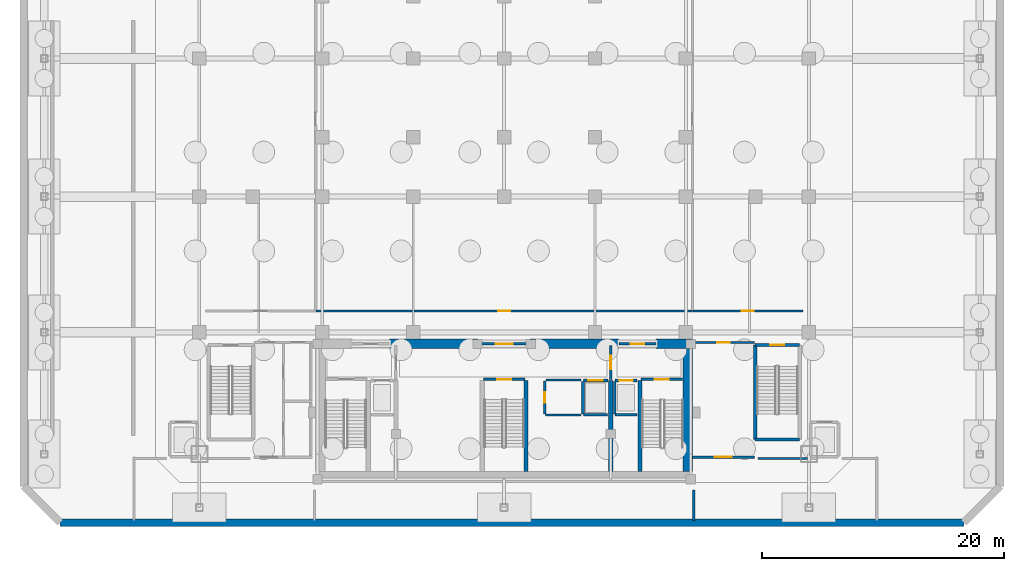
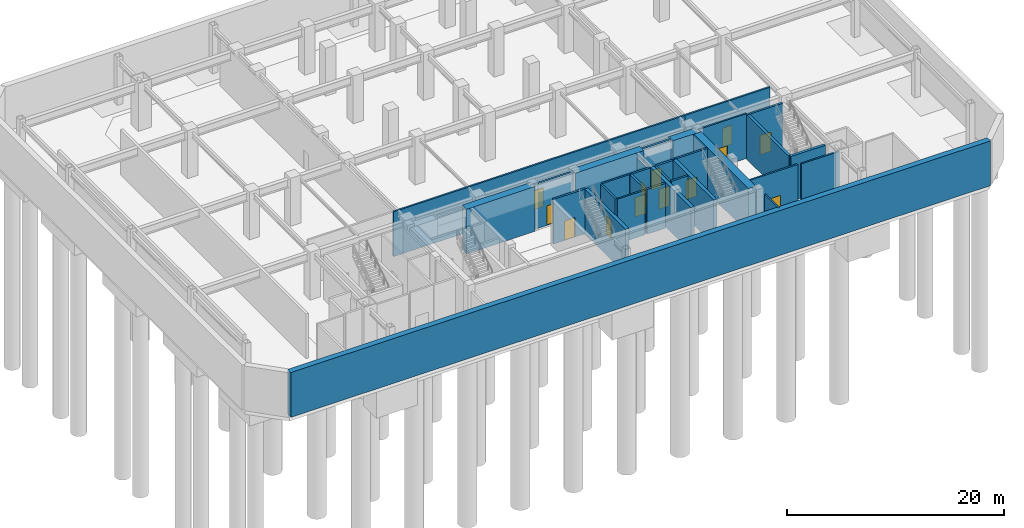
# One storey, part 5 of 10: 31 walls, 13 doors, 13 openings.
"""IFC4 building model written with IfcOpenShell, lengths in metres."""

from ifc_helpers import new_model, si_unit, direction, frame, frame_2d, origin, place, context, subcontext, project, spatial, rectangle, extrude, material, layer, layer_set, type_object, element, fill, save


model = new_model("IFC4")

# Units and contexts
model_context = context("Model", 3, precision=1e-05, world=origin(), true_north=direction((0.0, 1.0)))
body_context = subcontext(model_context, "Body", "Model", "MODEL_VIEW")
ifc_project = project(units=[si_unit("LENGTHUNIT", "METRE"), si_unit("AREAUNIT", "SQUARE_METRE"), si_unit("VOLUMEUNIT", "CUBIC_METRE"), si_unit("PLANEANGLEUNIT", "RADIAN"), si_unit("MASSUNIT", "GRAM", prefix="KILO")], contexts=[model_context])

# Site, building, storey
site_placement = place(None, origin())
site = spatial("IfcSite", under=ifc_project, at=site_placement, CompositionType="ELEMENT")
building_placement = place(site_placement, origin())
building = spatial("IfcBuilding", under=site, at=building_placement, Name="Ventersveld Concourse Tower", CompositionType="ELEMENT")
storey_placement = place(building_placement, frame((0.0, 0.0, -10.800048828125)))
storey = spatial("IfcBuildingStorey", under=building, at=storey_placement, Name="B02", CompositionType="ELEMENT", Elevation=-10.800048828125)

# Walls
ifc_material_1 = material(Name="Concrete C60/75", Category="concrete")
ifc_layer_1 = layer(ifc_material_1, 0.35009765625)
ifc_layer_set_1 = layer_set([ifc_layer_1], Name="Concrete C60/75")
wall_type_1 = type_object("IfcWallType", Name="WL-CORE-350L", PredefinedType="SHEAR", material=ifc_layer_set_1)
for number, where, z_axis, x_axis, name in (
    (1, (30.56005859375, 0.919921875, 0.0), (0.0, 0.0, 1.0), (0.0, 1.0, 0.0), "B02 Core Internal Shear Web W-ST3-E"),
    (2, (37.550048828125, 0.919921875, 0.0), (0.0, 0.0, 1.0), (0.0, 1.0, 0.0), "B02 Core Internal Shear Web W-SVL-W"),
    (3, (39.9599609375, 0.919921875, 0.0), (0.0, 0.0, 1.0), (0.0, 1.0, 0.0), "B02 Core Internal Shear Web W-ST2-W"),
):
    element("IfcWall", number, at=place(storey_placement, frame(where, z_axis=z_axis, x_axis=x_axis)), inside=storey, type_object=wall_type_1, Name=name, PredefinedType="SHEAR", context=body_context, shape_type="SweptSolid", body=[
        extrude(rectangle(XDim=7.5, YDim=0.35009765625, at=frame_2d((3.75, 0.0))), origin(), (0.0, 0.0, 1.0), 5.050048828125),
    ])
ifc_layer_2 = layer(ifc_material_1, 0.800048828125)
ifc_layer_set_2 = layer_set([ifc_layer_2], Name="Concrete C60/75")
wall_type_2 = type_object("IfcWallType", Name="WL-CORE-800", PredefinedType="SHEAR", material=ifc_layer_set_2)
wall_1_placement = place(storey_placement, frame((43.89990234375, 0.919921875, 0.0), z_axis=(0.0, 0.0, 1.0), x_axis=(0.0, 1.0, 0.0)))
element("IfcWall", 4, at=wall_1_placement, inside=storey, type_object=wall_type_2, Name="B02 Rear Core East Shear Wall", PredefinedType="SHEAR", context=body_context, shape_type="SweptSolid", body=[
    extrude(rectangle(XDim=10.530029296875, YDim=0.800048828125, at=frame_2d((5.26513671875, 0.0))), origin(), (0.0, 0.0, 1.0), 5.050048828125),
])
for number, where, z_axis, x_axis, name in (
    (5, (19.300048828125, 11.449951171875, 0.0), (0.0, 0.0, 1.0), (1.0, 0.0, 0.0), "B02 Rear Core North Shear Wall NML"),
    (6, (30.89990234375, 11.449951171875, 0.0), (0.0, 0.0, 1.0), (1.0, 0.0, 0.0), "B02 Rear Core North Shear Wall NMR"),
):
    element("IfcWall", number, at=place(storey_placement, frame(where, z_axis=z_axis, x_axis=x_axis)), inside=storey, type_object=wall_type_2, Name=name, PredefinedType="SHEAR", context=body_context, shape_type="SweptSolid", body=[
        extrude(rectangle(XDim=7.300048828125, YDim=0.800048828125, at=frame_2d((3.64990234375, 0.0))), origin(), (0.0, 0.0, 1.0), 5.050048828125),
    ])
wall_2_placement = place(storey_placement, frame((41.300048828125, 11.449951171875, 0.0), z_axis=(0.0, 0.0, 1.0), x_axis=(1.0, 0.0, 0.0)))
element("IfcWall", 7, at=wall_2_placement, inside=storey, type_object=wall_type_2, Name="B02 Rear Core North Shear Wall NE", PredefinedType="SHEAR", context=body_context, shape_type="SweptSolid", body=[
    extrude(rectangle(XDim=2.949951171875, YDim=0.800048828125, at=frame_2d((1.47509765625, 0.0))), origin(), (0.0, 0.0, 1.0), 5.050048828125),
])

# Wall, opening, door
ifc_material_2 = material(Name="Fire-rated autoclaved aerated masonry blockwork", Category="masonry")
ifc_layer_3 = layer(ifc_material_2, 0.179931640625)
ifc_layer_set_3 = layer_set([ifc_layer_3], Name="Fire-rated autoclaved aerated masonry blockwork")
wall_type_3 = type_object("IfcWallType", Name="WL-CORR-180", PredefinedType="PARTITIONING", material=ifc_layer_set_3)
wall_3_placement = place(storey_placement, frame((32.10009765625, 5.64990234375, 0.0), z_axis=(0.0, 0.0, 1.0), x_axis=(0.0, 1.0, 0.0)))
wall_3 = element("IfcWall", 8, at=wall_3_placement, inside=storey, type_object=wall_type_3, Name="B02 Core Passage Wall SP-B02-CBAY1", PredefinedType="PARTITIONING", context=body_context, shape_type="SweptSolid", body=[
    extrude(rectangle(XDim=2.72998046875, YDim=0.179931640625, at=frame_2d((1.364990234375, 0.0))), origin(), (0.0, 0.0, 1.0), 5.050048828125),
])
opening_1_placement = place(wall_3_placement, frame((0.925048828125, 0.0, 0.0)))
opening_1 = element("IfcOpeningElement", 9, at=opening_1_placement, cuts=wall_3, Name="Opening FD5", PredefinedType="OPENING", context=body_context, shape_type="SweptSolid", body=[
    extrude(rectangle(XDim=0.8798828125, YDim=2.050048828125, at=frame_2d((0.43994140625, 1.02490234375))), frame((0.0, 0.10009765625, 0.0), z_axis=(0.0, -1.0, 0.0), x_axis=(1.0, 0.0, 0.0)), (0.0, 0.0, 1.0), 0.199951171875),
])
ifc_material_3 = material(Name="Galvanised painted steel", Category="steel")
door_type_1 = type_object("IfcDoorType", Name="DR-RISER-088", OperationType="NOTDEFINED", PredefinedType="DOOR", material=ifc_material_3)
door_1_placement = place(opening_1_placement, origin())
door_1 = element("IfcDoor", 10, at=door_1_placement, inside=storey, type_object=door_type_1, Name="B02 Core Room Door B02 Core Housekeeping Linen Store (CD-B02-0011)", OperationType="SINGLE_SWING_RIGHT", OverallHeight=2.050048828125, OverallWidth=0.8798828125, PredefinedType="DOOR", context=body_context, shape_type="SweptSolid", body=[
    extrude(rectangle(XDim=0.8798828125, YDim=2.050048828125, at=frame_2d((0.43994140625, 1.02490234375))), frame((0.0, 0.02490234375, 0.0), z_axis=(0.0, -1.0, 0.0), x_axis=(1.0, 0.0, 0.0)), (0.0, 0.0, 1.0), 0.050048828125),
])
fill(opening_1, door_1)

# Walls
wall_4_placement = place(storey_placement, frame((32.219970703125, 8.4599609375, 0.0), z_axis=(0.0, 0.0, 1.0), x_axis=(1.0, 0.0, 0.0)))
element("IfcWall", 11, at=wall_4_placement, inside=storey, type_object=wall_type_3, Name="B02 Core Top Wall SP-B02-CBAY1", PredefinedType="PARTITIONING", context=body_context, shape_type="SweptSolid", body=[
    extrude(rectangle(XDim=2.880126953125, YDim=0.179931640625, at=frame_2d((1.43994140625, 0.0))), origin(), (0.0, 0.0, 1.0), 5.050048828125),
])
wall_5_placement = place(storey_placement, frame((32.179931640625, 5.570068359375, 0.0), z_axis=(0.0, 0.0, 1.0), x_axis=(1.0, 0.0, 0.0)))
element("IfcWall", 12, at=wall_5_placement, inside=storey, type_object=wall_type_3, Name="B02 Core Bot Wall SP-B02-CBAY1", PredefinedType="PARTITIONING", context=body_context, shape_type="SweptSolid", body=[
    extrude(rectangle(XDim=2.920166015625, YDim=0.179931640625, at=frame_2d((1.4599609375, 0.0))), origin(), (0.0, 0.0, 1.0), 5.050048828125),
])

# Wall, opening, door
wall_6_placement = place(storey_placement, frame((13.22509765625, 14.14990234375, 0.0), z_axis=(0.0, 0.0, 1.0), x_axis=(1.0, 0.0, 0.0)))
wall_6 = element("IfcWall", 13, at=wall_6_placement, inside=storey, type_object=wall_type_3, Name="B02 Interior Partition SP-B02-ECOR-SP-B02-PLAT-C", PredefinedType="PARTITIONING", context=body_context, shape_type="SweptSolid", body=[
    extrude(rectangle(XDim=31.06982421875, YDim=0.179931640625, at=frame_2d((15.534912109375, 0.0))), origin(), (0.0, 0.0, 1.0), 5.050048828125),
])
opening_2_placement = place(wall_6_placement, frame((15.034912109375, 0.0, 0.0)))
opening_2 = element("IfcOpeningElement", 14, at=opening_2_placement, cuts=wall_6, Name="Opening FD3", PredefinedType="OPENING", context=body_context, shape_type="SweptSolid", body=[
    extrude(rectangle(XDim=1.0, YDim=2.14990234375, at=frame_2d((0.5, 1.074951171875))), frame((0.0, 0.10009765625, 0.0), z_axis=(0.0, -1.0, 0.0), x_axis=(1.0, 0.0, 0.0)), (0.0, 0.0, 1.0), 0.199951171875),
])
ifc_material_4 = material(Name="Solid-core hardwood veneer timber", Category="wood")
door_type_2 = type_object("IfcDoorType", Name="DR-FLAT-100", OperationType="NOTDEFINED", PredefinedType="DOOR", material=ifc_material_4)
door_2_placement = place(opening_2_placement, origin())
door_2 = element("IfcDoor", 15, at=door_2_placement, inside=storey, type_object=door_type_2, Name="B02 Interior Door SP-B02-ECOR to SP-B02-PLAT-C (D-B02-0013)", OperationType="SINGLE_SWING_LEFT", OverallHeight=2.14990234375, OverallWidth=1.0, PredefinedType="DOOR", context=body_context, shape_type="SweptSolid", body=[
    extrude(rectangle(XDim=1.0, YDim=2.14990234375, at=frame_2d((0.5, 1.074951171875))), frame((0.0, 0.02490234375, 0.0), z_axis=(0.0, -1.0, 0.0), x_axis=(1.0, 0.0, 0.0)), (0.0, 0.0, 1.0), 0.050048828125),
])
fill(opening_2, door_2)

wall_7_placement = place(storey_placement, frame((44.324951171875, 14.14990234375, 0.0), z_axis=(0.0, 0.0, 1.0), x_axis=(1.0, 0.0, 0.0)))
wall_7 = element("IfcWall", 16, at=wall_7_placement, inside=storey, type_object=wall_type_3, Name="B02 Interior Partition SP-B02-ECOR-SP-B02-PLAT-E", PredefinedType="PARTITIONING", context=body_context, shape_type="SweptSolid", body=[
    extrude(rectangle(XDim=9.070068359375, YDim=0.179931640625, at=frame_2d((4.53515625, 0.0))), origin(), (0.0, 0.0, 1.0), 5.050048828125),
])
opening_3_placement = place(wall_7_placement, frame((4.034912109375, 0.0, 0.0)))
opening_3 = element("IfcOpeningElement", 17, at=opening_3_placement, cuts=wall_7, Name="Opening FD3", PredefinedType="OPENING", context=body_context, shape_type="SweptSolid", body=[
    extrude(rectangle(XDim=1.0, YDim=2.14990234375, at=frame_2d((0.5, 1.074951171875))), frame((0.0, 0.10009765625, 0.0), z_axis=(0.0, -1.0, 0.0), x_axis=(1.0, 0.0, 0.0)), (0.0, 0.0, 1.0), 0.199951171875),
])
door_3_placement = place(opening_3_placement, origin())
door_3 = element("IfcDoor", 18, at=door_3_placement, inside=storey, type_object=door_type_2, Name="B02 Interior Door SP-B02-ECOR to SP-B02-PLAT-E (D-B02-0014)", OperationType="SINGLE_SWING_RIGHT", OverallHeight=2.14990234375, OverallWidth=1.0, PredefinedType="DOOR", context=body_context, shape_type="SweptSolid", body=[
    extrude(rectangle(XDim=1.0, YDim=2.14990234375, at=frame_2d((0.5, 1.074951171875))), frame((0.0, 0.02490234375, 0.0), z_axis=(0.0, -1.0, 0.0), x_axis=(1.0, 0.0, 0.0)), (0.0, 0.0, 1.0), 0.050048828125),
])
fill(opening_3, door_3)

wall_8_placement = place(storey_placement, frame((44.304931640625, 11.550048828125, 0.0), z_axis=(0.0, 0.0, 1.0), x_axis=(1.0, 0.0, 0.0)))
wall_8 = element("IfcWall", 19, at=wall_8_placement, inside=storey, type_object=wall_type_3, Name="B02 Interior Partition SP-B02-ECOR-SP-B02-SCOR-E", PredefinedType="PARTITIONING", context=body_context, shape_type="SweptSolid", body=[
    extrude(rectangle(XDim=5.090087890625, YDim=0.179931640625, at=frame_2d((2.544921875, 0.0))), origin(), (0.0, 0.0, 1.0), 5.050048828125),
])
opening_4_placement = place(wall_8_placement, frame((2.044921875, 0.0, 0.0)))
opening_4 = element("IfcOpeningElement", 20, at=opening_4_placement, cuts=wall_8, Name="Opening FD3", PredefinedType="OPENING", context=body_context, shape_type="SweptSolid", body=[
    extrude(rectangle(XDim=1.0, YDim=2.14990234375, at=frame_2d((0.5, 1.074951171875))), frame((0.0, 0.10009765625, 0.0), z_axis=(0.0, -1.0, 0.0), x_axis=(1.0, 0.0, 0.0)), (0.0, 0.0, 1.0), 0.199951171875),
])
door_4_placement = place(opening_4_placement, origin())
door_4 = element("IfcDoor", 21, at=door_4_placement, inside=storey, type_object=door_type_2, Name="B02 Interior Door SP-B02-ECOR to SP-B02-SCOR-E (D-B02-0017)", OperationType="SINGLE_SWING_LEFT", OverallHeight=2.14990234375, OverallWidth=1.0, PredefinedType="DOOR", context=body_context, shape_type="SweptSolid", body=[
    extrude(rectangle(XDim=1.0, YDim=2.14990234375, at=frame_2d((0.5, 1.074951171875))), frame((0.0, 0.02490234375, 0.0), z_axis=(0.0, -1.0, 0.0), x_axis=(1.0, 0.0, 0.0)), (0.0, 0.0, 1.0), 0.050048828125),
])
fill(opening_4, door_4)

wall_9_placement = place(storey_placement, frame((44.304931640625, 2.10009765625, 0.0), z_axis=(0.0, 0.0, 1.0), x_axis=(1.0, 0.0, 0.0)))
wall_9 = element("IfcWall", 22, at=wall_9_placement, inside=storey, type_object=wall_type_3, Name="B02 Interior Partition SP-B02-SCOR-E-SP-B02-GREY", PredefinedType="PARTITIONING", context=body_context, shape_type="SweptSolid", body=[
    extrude(rectangle(XDim=5.090087890625, YDim=0.179931640625, at=frame_2d((2.544921875, 0.0))), origin(), (0.0, 0.0, 1.0), 5.050048828125),
])
opening_5_placement = place(wall_9_placement, frame((1.844970703125, 0.0, 0.0)))
opening_5 = element("IfcOpeningElement", 23, at=opening_5_placement, cuts=wall_9, Name="Opening FD4", PredefinedType="OPENING", context=body_context, shape_type="SweptSolid", body=[
    extrude(rectangle(XDim=1.39990234375, YDim=2.199951171875, at=frame_2d((0.699951171875, 1.10009765625))), frame((0.0, 0.10009765625, 0.0), z_axis=(0.0, -1.0, 0.0), x_axis=(1.0, 0.0, 0.0)), (0.0, 0.0, 1.0), 0.199951171875),
])
door_type_3 = type_object("IfcDoorType", Name="DR-PLANT-140", OperationType="DOUBLE_DOOR_SINGLE_SWING", PredefinedType="DOOR", material=ifc_material_3)
door_5_placement = place(opening_5_placement, origin())
door_5 = element("IfcDoor", 24, at=door_5_placement, inside=storey, type_object=door_type_3, Name="B02 Interior Door SP-B02-SCOR-E to SP-B02-GREY (FD-B02-0023)", OperationType="DOUBLE_DOOR_SINGLE_SWING", OverallHeight=2.199951171875, OverallWidth=1.39990234375, PredefinedType="DOOR", context=body_context, shape_type="SweptSolid", body=[
    extrude(rectangle(XDim=1.39990234375, YDim=2.199951171875, at=frame_2d((0.699951171875, 1.10009765625))), frame((0.0, 0.02490234375, 0.0), z_axis=(0.0, -1.0, 0.0), x_axis=(1.0, 0.0, 0.0)), (0.0, 0.0, 1.0), 0.050048828125),
])
fill(opening_5, door_5)

# Walls
wall_10_placement = place(storey_placement, frame((53.785888671875, 2.0, 0.0), z_axis=(0.0, 0.0, 1.0), x_axis=(-1.0, 0.0, 0.0)))
element("IfcWall", 25, at=wall_10_placement, inside=storey, type_object=wall_type_3, Name="B02 Room Enclosure Wall SP-B02-GREY", PredefinedType="PARTITIONING", context=body_context, shape_type="SweptSolid", body=[
    extrude(rectangle(XDim=4.078369140625, YDim=0.179931640625, at=frame_2d((2.0390625, 0.0))), origin(), (0.0, 0.0, 1.0), 5.050048828125),
])
wall_11_placement = place(storey_placement, frame((44.39990234375, -0.625, 0.0), z_axis=(0.0, 0.0, 1.0), x_axis=(0.0, -1.0, 0.0)))
element("IfcWall", 26, at=wall_11_placement, inside=storey, type_object=wall_type_3, Name="B02 Room Enclosure Wall SP-B02-GREY", PredefinedType="PARTITIONING", context=body_context, shape_type="SweptSolid", body=[
    extrude(rectangle(XDim=2.514892578125, YDim=0.179931640625, at=frame_2d((1.25732421875, 0.0))), origin(), (0.0, 0.0, 1.0), 5.050048828125),
])
ifc_layer_4 = layer(ifc_material_2, 0.219970703125)
ifc_layer_set_4 = layer_set([ifc_layer_4], Name="Fire-rated autoclaved aerated masonry blockwork")
wall_type_4 = type_object("IfcWallType", Name="WL-HOIST-220", PredefinedType="SOLIDWALL", material=ifc_layer_set_4)
wall_12_placement = place(storey_placement, frame((37.919921875, 5.590087890625, 0.0), z_axis=(0.0, 0.0, 1.0), x_axis=(1.0, 0.0, 0.0)))
element("IfcWall", 27, at=wall_12_placement, inside=storey, type_object=wall_type_4, Name="B02 Lift Hoistway Back Wall FFL-02", PredefinedType="SOLIDWALL", context=body_context, shape_type="SweptSolid", body=[
    extrude(rectangle(XDim=1.780029296875, YDim=0.219970703125, at=frame_2d((0.89013671875, 0.0))), origin(), (0.0, 0.0, 1.0), 5.050048828125),
])
wall_13_placement = place(storey_placement, frame((37.8798828125, 5.64990234375, 0.0), z_axis=(0.0, 0.0, 1.0), x_axis=(0.0, 1.0, 0.0)))
element("IfcWall", 28, at=wall_13_placement, inside=storey, type_object=wall_type_4, Name="B02 Lift Hoistway Side Wall FFL-02W", PredefinedType="SOLIDWALL", context=body_context, shape_type="SweptSolid", body=[
    extrude(rectangle(XDim=2.7001953125, YDim=0.219970703125, at=frame_2d((1.35009765625, 0.0))), origin(), (0.0, 0.0, 1.0), 5.050048828125),
])

# Wall, opening, door
wall_14_placement = place(storey_placement, frame((37.89990234375, 8.429931640625, 0.0), z_axis=(0.0, 0.0, 1.0), x_axis=(1.0, 0.0, 0.0)))
wall_14 = element("IfcWall", 29, at=wall_14_placement, inside=storey, type_object=wall_type_4, Name="B02 Lift Hoistway Front Wall FFL-02", PredefinedType="SOLIDWALL", context=body_context, shape_type="SweptSolid", body=[
    extrude(rectangle(XDim=1.820068359375, YDim=0.219970703125, at=frame_2d((0.91015625, 0.0))), origin(), (0.0, 0.0, 1.0), 5.050048828125),
])
opening_6_placement = place(wall_14_placement, frame((0.35009765625, 0.0, 0.0)))
opening_6 = element("IfcOpeningElement", 30, at=opening_6_placement, cuts=wall_14, Name="Opening LD1", PredefinedType="OPENING", context=body_context, shape_type="SweptSolid", body=[
    extrude(rectangle(XDim=1.1201171875, YDim=2.25, at=frame_2d((0.56005859375, 1.125))), frame((0.0, 0.1201171875, 0.0), z_axis=(0.0, -1.0, 0.0), x_axis=(1.0, 0.0, 0.0)), (0.0, 0.0, 1.0), 0.239990234375),
])
ifc_material_5 = material(Name="Brushed stainless steel 316", Category="steel")
door_type_4 = type_object("IfcDoorType", Name="LD-FF-112", OperationType="SLIDING_TO_LEFT", PredefinedType="DOOR", material=ifc_material_5)
door_6_placement = place(opening_6_placement, origin())
door_6 = element("IfcDoor", 31, at=door_6_placement, inside=storey, type_object=door_type_4, Name="B02 Lift landing door FFL-02 (LD-B02-FFL-02)", OperationType="SLIDING_TO_RIGHT", OverallHeight=2.25, OverallWidth=1.1201171875, PredefinedType="DOOR", context=body_context, shape_type="SweptSolid", body=[
    extrude(rectangle(XDim=1.1201171875, YDim=2.25, at=frame_2d((0.56005859375, 1.125))), frame((0.0, 0.02490234375, 0.0), z_axis=(0.0, -1.0, 0.0), x_axis=(1.0, 0.0, 0.0)), (0.0, 0.0, 1.0), 0.050048828125),
])
fill(opening_6, door_6)

# Walls
wall_15_placement = place(storey_placement, frame((35.300048828125, 5.590087890625, 0.0), z_axis=(0.0, 0.0, 1.0), x_axis=(1.0, 0.0, 0.0)))
element("IfcWall", 32, at=wall_15_placement, inside=storey, type_object=wall_type_4, Name="B02 Lift Hoistway Back Wall SVL-01", PredefinedType="SOLIDWALL", context=body_context, shape_type="SweptSolid", body=[
    extrude(rectangle(XDim=2.0, YDim=0.219970703125, at=frame_2d((1.0, 0.0))), origin(), (0.0, 0.0, 1.0), 5.050048828125),
])
wall_16_placement = place(storey_placement, frame((35.260009765625, 5.64990234375, 0.0), z_axis=(0.0, 0.0, 1.0), x_axis=(0.0, 1.0, 0.0)))
element("IfcWall", 33, at=wall_16_placement, inside=storey, type_object=wall_type_4, Name="B02 Lift Hoistway Side Wall SVL-01W", PredefinedType="SOLIDWALL", context=body_context, shape_type="SweptSolid", body=[
    extrude(rectangle(XDim=2.7001953125, YDim=0.219970703125, at=frame_2d((1.35009765625, 0.0))), origin(), (0.0, 0.0, 1.0), 5.050048828125),
])

# Wall, opening, door
wall_17_placement = place(storey_placement, frame((35.280029296875, 8.429931640625, 0.0), z_axis=(0.0, 0.0, 1.0), x_axis=(1.0, 0.0, 0.0)))
wall_17 = element("IfcWall", 34, at=wall_17_placement, inside=storey, type_object=wall_type_4, Name="B02 Lift Hoistway Front Wall SVL-01", PredefinedType="SOLIDWALL", context=body_context, shape_type="SweptSolid", body=[
    extrude(rectangle(XDim=2.0400390625, YDim=0.219970703125, at=frame_2d((1.02001953125, 0.0))), origin(), (0.0, 0.0, 1.0), 5.050048828125),
])
opening_7_placement = place(wall_17_placement, frame((0.429931640625, 0.0, 0.0)))
opening_7 = element("IfcOpeningElement", 35, at=opening_7_placement, cuts=wall_17, Name="Opening LD2", PredefinedType="OPENING", context=body_context, shape_type="SweptSolid", body=[
    extrude(rectangle(XDim=1.179931640625, YDim=2.199951171875, at=frame_2d((0.58984375, 1.10009765625))), frame((0.0, 0.1201171875, 0.0), z_axis=(0.0, -1.0, 0.0), x_axis=(1.0, 0.0, 0.0)), (0.0, 0.0, 1.0), 0.239990234375),
])
door_type_5 = type_object("IfcDoorType", Name="LD-PAX-118", OperationType="SLIDING_TO_LEFT", PredefinedType="DOOR", material=ifc_material_5)
door_7_placement = place(opening_7_placement, origin())
door_7 = element("IfcDoor", 36, at=door_7_placement, inside=storey, type_object=door_type_5, Name="B02 Lift landing door SVL-01 (LD-B02-SVL-01)", OperationType="SLIDING_TO_LEFT", OverallHeight=2.199951171875, OverallWidth=1.179931640625, PredefinedType="DOOR", context=body_context, shape_type="SweptSolid", body=[
    extrude(rectangle(XDim=1.179931640625, YDim=2.199951171875, at=frame_2d((0.58984375, 1.10009765625))), frame((0.0, 0.02490234375, 0.0), z_axis=(0.0, -1.0, 0.0), x_axis=(1.0, 0.0, 0.0)), (0.0, 0.0, 1.0), 0.050048828125),
])
fill(opening_7, door_7)

wall_18_placement = place(storey_placement, frame((40.06005859375, 8.52001953125, 0.0), z_axis=(0.0, 0.0, 1.0), x_axis=(1.0, 0.0, 0.0)))
wall_18 = element("IfcWall", 37, at=wall_18_placement, inside=storey, type_object=wall_type_4, Name="B02 Escape Stair ST02 Fire Wall", PredefinedType="SOLIDWALL", context=body_context, shape_type="SweptSolid", body=[
    extrude(rectangle(XDim=3.39990234375, YDim=0.219970703125, at=frame_2d((1.699951171875, 0.0))), origin(), (0.0, 0.0, 1.0), 5.050048828125),
])
opening_8_placement = place(wall_18_placement, frame((1.125, 0.0, 0.0)))
opening_8 = element("IfcOpeningElement", 38, at=opening_8_placement, cuts=wall_18, Name="Opening FD1", PredefinedType="OPENING", context=body_context, shape_type="SweptSolid", body=[
    extrude(rectangle(XDim=1.14990234375, YDim=2.199951171875, at=frame_2d((0.574951171875, 1.10009765625))), frame((0.0, 0.1201171875, 0.0), z_axis=(0.0, -1.0, 0.0), x_axis=(1.0, 0.0, 0.0)), (0.0, 0.0, 1.0), 0.239990234375),
])
door_type_6 = type_object("IfcDoorType", Name="DR-STAIR-115", OperationType="NOTDEFINED", PredefinedType="DOOR", material=ifc_material_3)
door_8_placement = place(opening_8_placement, origin())
door_8 = element("IfcDoor", 39, at=door_8_placement, inside=storey, type_object=door_type_6, Name="B02 Escape Stair Door ST02 (SD-B02-0002)", OperationType="SINGLE_SWING_RIGHT", OverallHeight=2.199951171875, OverallWidth=1.14990234375, PredefinedType="DOOR", context=body_context, shape_type="SweptSolid", body=[
    extrude(rectangle(XDim=1.14990234375, YDim=2.199951171875, at=frame_2d((0.574951171875, 1.10009765625))), frame((0.0, 0.02490234375, 0.0), z_axis=(0.0, -1.0, 0.0), x_axis=(1.0, 0.0, 0.0)), (0.0, 0.0, 1.0), 0.050048828125),
])
fill(opening_8, door_8)

wall_19_placement = place(storey_placement, frame((27.0400390625, 8.52001953125, 0.0), z_axis=(0.0, 0.0, 1.0), x_axis=(1.0, 0.0, 0.0)))
wall_19 = element("IfcWall", 40, at=wall_19_placement, inside=storey, type_object=wall_type_4, Name="B02 Escape Stair ST03 Fire Wall", PredefinedType="SOLIDWALL", context=body_context, shape_type="SweptSolid", body=[
    extrude(rectangle(XDim=3.419921875, YDim=0.219970703125, at=frame_2d((1.7099609375, 0.0))), origin(), (0.0, 0.0, 1.0), 5.050048828125),
])
opening_9_placement = place(wall_19_placement, frame((1.135009765625, 0.0, 0.0)))
opening_9 = element("IfcOpeningElement", 41, at=opening_9_placement, cuts=wall_19, Name="Opening FD1", PredefinedType="OPENING", context=body_context, shape_type="SweptSolid", body=[
    extrude(rectangle(XDim=1.14990234375, YDim=2.199951171875, at=frame_2d((0.574951171875, 1.10009765625))), frame((0.0, 0.1201171875, 0.0), z_axis=(0.0, -1.0, 0.0), x_axis=(1.0, 0.0, 0.0)), (0.0, 0.0, 1.0), 0.239990234375),
])
door_9_placement = place(opening_9_placement, origin())
door_9 = element("IfcDoor", 42, at=door_9_placement, inside=storey, type_object=door_type_6, Name="B02 Escape Stair Door ST03 (SD-B02-0003)", OperationType="SINGLE_SWING_LEFT", OverallHeight=2.199951171875, OverallWidth=1.14990234375, PredefinedType="DOOR", context=body_context, shape_type="SweptSolid", body=[
    extrude(rectangle(XDim=1.14990234375, YDim=2.199951171875, at=frame_2d((0.574951171875, 1.10009765625))), frame((0.0, 0.02490234375, 0.0), z_axis=(0.0, -1.0, 0.0), x_axis=(1.0, 0.0, 0.0)), (0.0, 0.0, 1.0), 0.050048828125),
])
fill(opening_9, door_9)

wall_20_placement = place(storey_placement, frame((49.4599609375, 11.35009765625, 0.0), z_axis=(0.0, 0.0, 1.0), x_axis=(1.0, 0.0, 0.0)))
wall_20 = element("IfcWall", 43, at=wall_20_placement, inside=storey, type_object=wall_type_4, Name="B02 Escape Stair ST05 Fire Wall", PredefinedType="SOLIDWALL", context=body_context, shape_type="SweptSolid", body=[
    extrude(rectangle(XDim=3.679931640625, YDim=0.219970703125, at=frame_2d((1.83984375, 0.0))), origin(), (0.0, 0.0, 1.0), 5.050048828125),
])
opening_10_placement = place(wall_20_placement, frame((1.264892578125, 0.0, 0.0)))
opening_10 = element("IfcOpeningElement", 44, at=opening_10_placement, cuts=wall_20, Name="Opening FD1", PredefinedType="OPENING", context=body_context, shape_type="SweptSolid", body=[
    extrude(rectangle(XDim=1.14990234375, YDim=2.199951171875, at=frame_2d((0.574951171875, 1.10009765625))), frame((0.0, 0.1201171875, 0.0), z_axis=(0.0, -1.0, 0.0), x_axis=(1.0, 0.0, 0.0)), (0.0, 0.0, 1.0), 0.239990234375),
])
door_10_placement = place(opening_10_placement, origin())
door_10 = element("IfcDoor", 45, at=door_10_placement, inside=storey, type_object=door_type_6, Name="B02 Escape Stair Door ST05 (SD-B02-0005)", OperationType="SINGLE_SWING_LEFT", OverallHeight=2.199951171875, OverallWidth=1.14990234375, PredefinedType="DOOR", context=body_context, shape_type="SweptSolid", body=[
    extrude(rectangle(XDim=1.14990234375, YDim=2.199951171875, at=frame_2d((0.574951171875, 1.10009765625))), frame((0.0, 0.02490234375, 0.0), z_axis=(0.0, -1.0, 0.0), x_axis=(1.0, 0.0, 0.0)), (0.0, 0.0, 1.0), 0.050048828125),
])
fill(opening_10, door_10)

wall_21_placement = place(storey_placement, frame((37.550048828125, 8.52001953125, 0.0), z_axis=(0.0, 0.0, 1.0), x_axis=(0.0, 1.0, 0.0)))
wall_21 = element("IfcWall", 46, at=wall_21_placement, inside=storey, type_object=wall_type_4, Name="B02 Firefighting Lobby Smoke-Stop Wall FFLE-SEP", PredefinedType="SOLIDWALL", context=body_context, shape_type="SweptSolid", body=[
    extrude(rectangle(XDim=2.800048828125, YDim=0.219970703125, at=frame_2d((1.39990234375, 0.0))), origin(), (0.0, 0.0, 1.0), 4.505615234375),
])
opening_11_placement = place(wall_21_placement, frame((0.85009765625, 0.0, 0.0)))
opening_11 = element("IfcOpeningElement", 47, at=opening_11_placement, cuts=wall_21, Name="Opening FD2", PredefinedType="OPENING", context=body_context, shape_type="SweptSolid", body=[
    extrude(rectangle(XDim=1.10009765625, YDim=2.199951171875, at=frame_2d((0.550048828125, 1.10009765625))), frame((0.0, 0.1201171875, 0.0), z_axis=(0.0, -1.0, 0.0), x_axis=(1.0, 0.0, 0.0)), (0.0, 0.0, 1.0), 0.239990234375),
])
door_type_7 = type_object("IfcDoorType", Name="DR-FFL-110", OperationType="NOTDEFINED", PredefinedType="DOOR", material=ifc_material_3)
door_11_placement = place(opening_11_placement, origin())
door_11 = element("IfcDoor", 48, at=door_11_placement, inside=storey, type_object=door_type_7, Name="B02 Firefighting Lobby Door FFLE-SEP (FD-B02-0007)", OperationType="SINGLE_SWING_RIGHT", OverallHeight=2.199951171875, OverallWidth=1.10009765625, PredefinedType="DOOR", context=body_context, shape_type="SweptSolid", body=[
    extrude(rectangle(XDim=1.10009765625, YDim=2.199951171875, at=frame_2d((0.550048828125, 1.10009765625))), frame((0.0, 0.02490234375, 0.0), z_axis=(0.0, -1.0, 0.0), x_axis=(1.0, 0.0, 0.0)), (0.0, 0.0, 1.0), 0.050048828125),
])
fill(opening_11, door_11)

wall_22_placement = place(storey_placement, frame((26.6298828125, 11.449951171875, 0.0), z_axis=(0.0, 0.0, 1.0), x_axis=(1.0, 0.0, 0.0)))
wall_22 = element("IfcWall", 49, at=wall_22_placement, inside=storey, type_object=wall_type_4, Name="B02 Core North Fire Portal PLOB-OUT", PredefinedType="SOLIDWALL", context=body_context, shape_type="SweptSolid", body=[
    extrude(rectangle(XDim=4.240234375, YDim=0.219970703125, at=frame_2d((2.1201171875, 0.0))), origin(), (0.0, 0.0, 1.0), 5.050048828125),
])
opening_12_placement = place(wall_22_placement, frame((1.419921875, 0.0, 0.0)))
opening_12 = element("IfcOpeningElement", 50, at=opening_12_placement, cuts=wall_22, Name="Opening FD4", PredefinedType="OPENING", context=body_context, shape_type="SweptSolid", body=[
    extrude(rectangle(XDim=1.39990234375, YDim=2.199951171875, at=frame_2d((0.699951171875, 1.10009765625))), frame((0.0, 0.1201171875, 0.0), z_axis=(0.0, -1.0, 0.0), x_axis=(1.0, 0.0, 0.0)), (0.0, 0.0, 1.0), 0.239990234375),
])
door_12_placement = place(opening_12_placement, origin())
door_12 = element("IfcDoor", 51, at=door_12_placement, inside=storey, type_object=door_type_3, Name="B02 Core Lobby Fire Door PLOB-OUT (FD-B02-0009)", OperationType="DOUBLE_DOOR_SINGLE_SWING", OverallHeight=2.199951171875, OverallWidth=1.39990234375, PredefinedType="DOOR", context=body_context, shape_type="SweptSolid", body=[
    extrude(rectangle(XDim=1.39990234375, YDim=2.199951171875, at=frame_2d((0.699951171875, 1.10009765625))), frame((0.0, 0.02490234375, 0.0), z_axis=(0.0, -1.0, 0.0), x_axis=(1.0, 0.0, 0.0)), (0.0, 0.0, 1.0), 0.050048828125),
])
fill(opening_12, door_12)

wall_23_placement = place(storey_placement, frame((38.22998046875, 11.449951171875, 0.0), z_axis=(0.0, 0.0, 1.0), x_axis=(1.0, 0.0, 0.0)))
wall_23 = element("IfcWall", 52, at=wall_23_placement, inside=storey, type_object=wall_type_4, Name="B02 Core North Fire Portal FFLE-OUT", PredefinedType="SOLIDWALL", context=body_context, shape_type="SweptSolid", body=[
    extrude(rectangle(XDim=3.0400390625, YDim=0.219970703125, at=frame_2d((1.52001953125, 0.0))), origin(), (0.0, 0.0, 1.0), 5.050048828125),
])
opening_13_placement = place(wall_23_placement, frame((0.969970703125, 0.0, 0.0)))
opening_13 = element("IfcOpeningElement", 53, at=opening_13_placement, cuts=wall_23, Name="Opening FD2", PredefinedType="OPENING", context=body_context, shape_type="SweptSolid", body=[
    extrude(rectangle(XDim=1.10009765625, YDim=2.199951171875, at=frame_2d((0.550048828125, 1.10009765625))), frame((0.0, 0.1201171875, 0.0), z_axis=(0.0, -1.0, 0.0), x_axis=(1.0, 0.0, 0.0)), (0.0, 0.0, 1.0), 0.239990234375),
])
door_13_placement = place(opening_13_placement, origin())
door_13 = element("IfcDoor", 54, at=door_13_placement, inside=storey, type_object=door_type_7, Name="B02 Core Lobby Fire Door FFLE-OUT (FD-B02-0010)", OperationType="SINGLE_SWING_LEFT", OverallHeight=2.199951171875, OverallWidth=1.10009765625, PredefinedType="DOOR", context=body_context, shape_type="SweptSolid", body=[
    extrude(rectangle(XDim=1.10009765625, YDim=2.199951171875, at=frame_2d((0.550048828125, 1.10009765625))), frame((0.0, 0.02490234375, 0.0), z_axis=(0.0, -1.0, 0.0), x_axis=(1.0, 0.0, 0.0)), (0.0, 0.0, 1.0), 0.050048828125),
])
fill(opening_13, door_13)

# Walls
ifc_material_6 = material(Name="Concrete C50/60", Category="concrete")
ifc_layer_5 = layer(ifc_material_6, 0.60009765625)
ifc_layer_set_5 = layer_set([ifc_layer_5], Name="Concrete C50/60")
wall_type_5 = type_object("IfcWallType", Name="WL-RET-600", PredefinedType="SOLIDWALL", material=ifc_layer_set_5)
wall_24_placement = place(storey_placement, frame((-7.89990234375, -3.300048828125, 0.0), z_axis=(0.0, 0.0, 1.0), x_axis=(1.0, 0.0, 0.0)))
element("IfcWall", 55, at=wall_24_placement, inside=storey, type_object=wall_type_5, Name="B02 Basement Retaining Wall 01", PredefinedType="SOLIDWALL", context=body_context, shape_type="SweptSolid", body=[
    extrude(rectangle(XDim=74.599853515625, YDim=0.60009765625, at=frame_2d((37.2998046875, 0.0))), origin(), (0.0, 0.0, 1.0), 5.050048828125),
])
ifc_layer_6 = layer(ifc_material_6, 0.280029296875)
ifc_layer_set_6 = layer_set([ifc_layer_6], Name="Concrete C50/60")
wall_type_6 = type_object("IfcWallType", Name="WL-SHAFT-280", PredefinedType="SHEAR", material=ifc_layer_set_6)
wall_25_placement = place(storey_placement, frame((49.4599609375, 3.56005859375, 0.0), z_axis=(0.0, 0.0, 1.0), x_axis=(1.0, 0.0, 0.0)))
element("IfcWall", 56, at=wall_25_placement, inside=storey, type_object=wall_type_6, Name="B02 ST05 Structural Shaft Wall S", PredefinedType="SHEAR", context=body_context, shape_type="SweptSolid", body=[
    extrude(rectangle(XDim=3.679931640625, YDim=0.280029296875, at=frame_2d((1.83984375, 0.0))), origin(), (0.0, 0.0, 1.0), 5.050048828125),
])
wall_26_placement = place(storey_placement, frame((49.4599609375, 3.56005859375, 0.0), z_axis=(0.0, 0.0, 1.0), x_axis=(0.0, 1.0, 0.0)))
element("IfcWall", 57, at=wall_26_placement, inside=storey, type_object=wall_type_6, Name="B02 ST05 Structural Shaft Wall W", PredefinedType="SHEAR", context=body_context, shape_type="SweptSolid", body=[
    extrude(rectangle(XDim=7.7900390625, YDim=0.280029296875, at=frame_2d((3.89501953125, 0.0))), origin(), (0.0, 0.0, 1.0), 5.050048828125),
])

save(model, "model.ifc")
